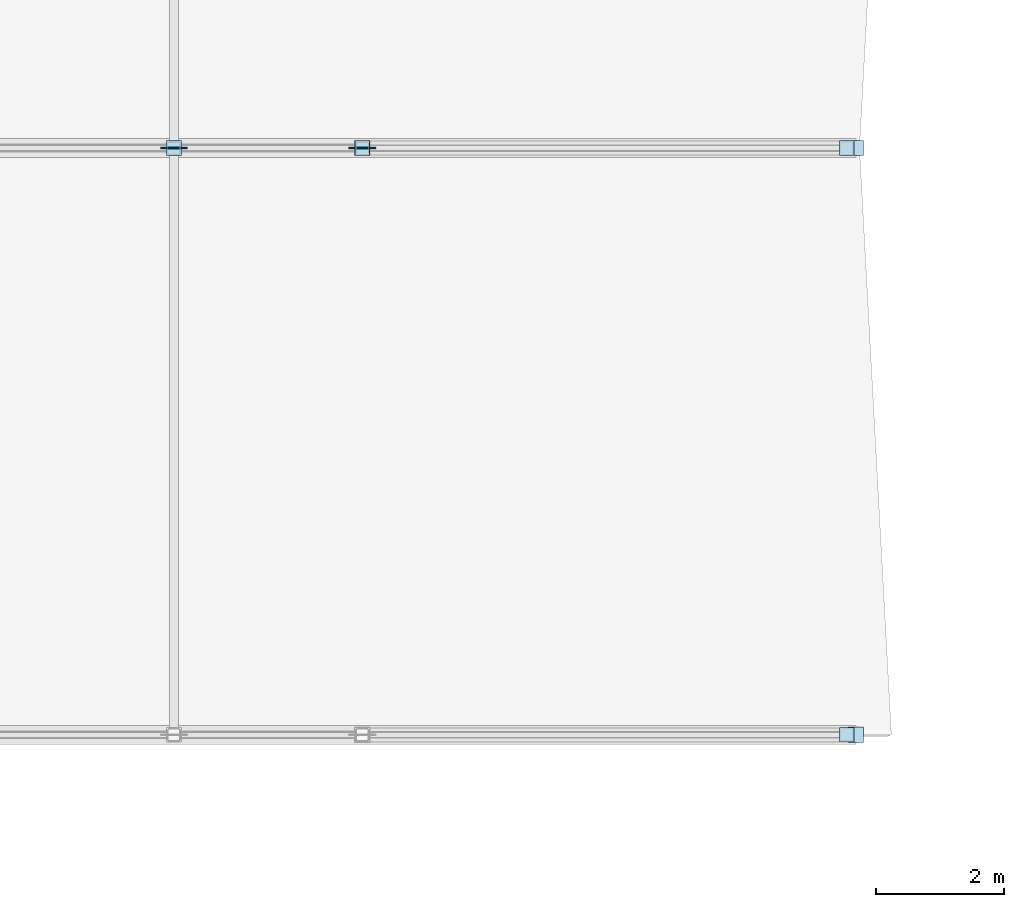
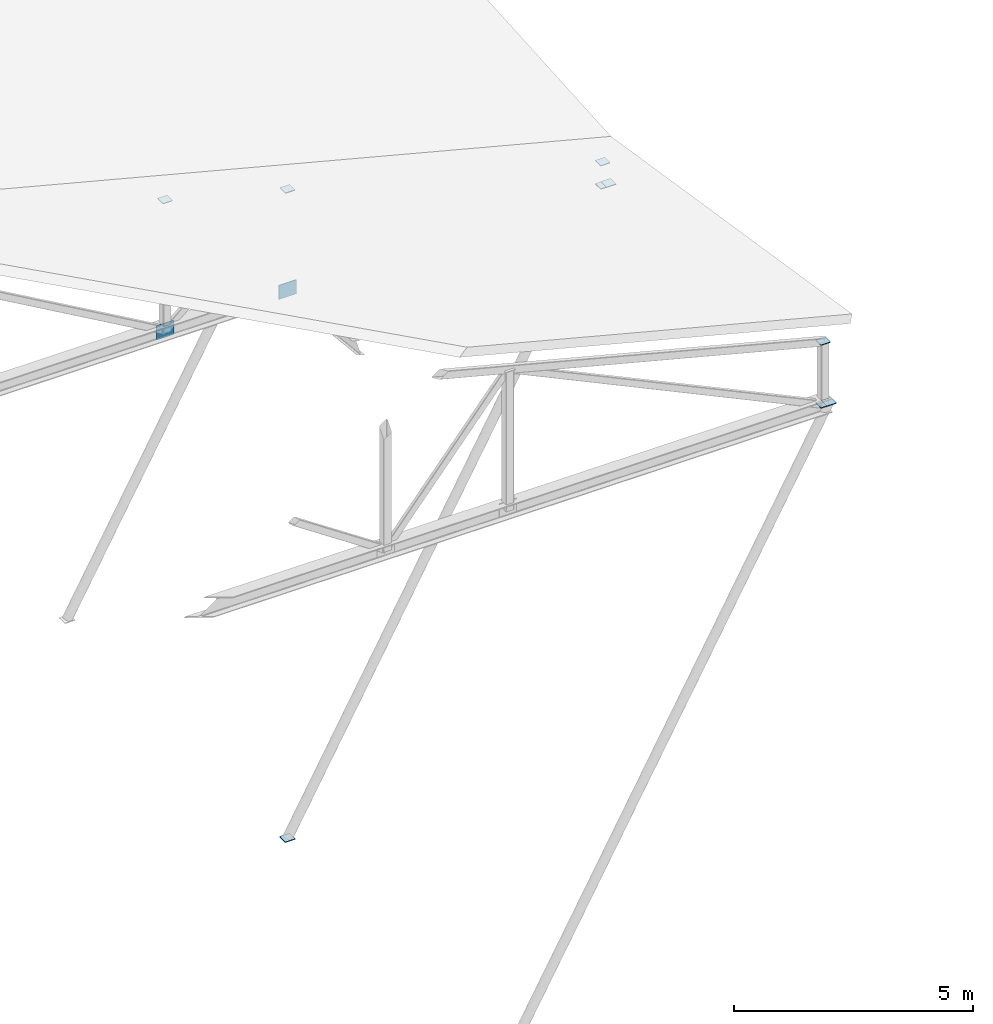
# One storey, part 49 of 56: 11 plates.
"""IFC4 building model written with IfcOpenShell, lengths in metres."""

from ifc_helpers import new_model, si_unit, direction, frame, origin, origin_2d, place, context, subcontext, project, spatial, rectangle, extrude, material, layer, layer_set, type_object, element, save


model = new_model("IFC4")

# Units and contexts
model_context = context("Model", 3, precision=1e-05, world=origin(), true_north=direction((0.0, 1.0)))
body_context = subcontext(model_context, "Body", "Model", "MODEL_VIEW")
ifc_project = project(units=[si_unit("LENGTHUNIT", "METRE"), si_unit("AREAUNIT", "SQUARE_METRE"), si_unit("VOLUMEUNIT", "CUBIC_METRE"), si_unit("PLANEANGLEUNIT", "RADIAN"), si_unit("MASSUNIT", "GRAM", prefix="KILO")], contexts=[model_context])

# Site, building, storey
site_placement = place(None, origin())
site = spatial("IfcSite", under=ifc_project, at=site_placement, CompositionType="ELEMENT")
building_placement = place(site_placement, origin())
building = spatial("IfcBuilding", under=site, at=building_placement, Name="Bozkorgan Art Gallery", CompositionType="ELEMENT")
storey_placement = place(building_placement, frame((0.0, 0.0, 24.0)))
storey = spatial("IfcBuildingStorey", under=building, at=storey_placement, Name="L05", CompositionType="ELEMENT", Elevation=24.0)

# Plates
ifc_material = material(Name="Steel S355J2", Category="steel")
ifc_layer_1 = layer(ifc_material, 0.01611328125, Name="Steel S355J2")
ifc_layer_set_1 = layer_set([ifc_layer_1], Name="Steel S355J2")
plate_type_1 = type_object("IfcPlateType", Name="PLATE-EC-05", PredefinedType="USERDEFINED", material=ifc_layer_set_1)
for number, where, z_axis, x_axis, name in (
    (1, (108.60009765625, 47.60009765625, 1.772216796875), (0.0, 0.0, 1.0), (1.0, 0.0, 0.0), "Truss V4 post cap 1.6"),
    (2, (108.60009765625, 47.60009765625, 0.171875), (0.0, 0.0, 1.0), (1.0, 0.0, 0.0), "Truss V4 post base cap 1.6"),
    (3, (98.050048828125, 56.800048828125, 3.492919921875), (0.0, 0.0, 1.0), (1.0, 0.0, 0.0), "Truss V4 post cap 2.4"),
    (4, (101.0, 56.800048828125, 2.72998046875), (0.0, 0.0, 1.0), (1.0, 0.0, 0.0), "Truss V4 post cap 2.5"),
    (5, (108.60009765625, 56.800048828125, 0.7646484375), (0.0, 0.0, 1.0), (1.0, 0.0, 0.0), "Truss V4 post cap 2.6"),
    (6, (108.60009765625, 56.800048828125, 0.171875), (0.0, 0.0, 1.0), (1.0, 0.0, 0.0), "Truss V4 post base cap 2.6"),
):
    element("IfcPlate", number, at=place(storey_placement, frame(where, z_axis=z_axis, x_axis=x_axis)), inside=storey, type_object=plate_type_1, Name=name, ObjectType="END CAP PLATE", PredefinedType="USERDEFINED", context=body_context, shape_type="SweptSolid", body=[
        extrude(rectangle(XDim=0.22998046875, YDim=0.22998046875, at=origin_2d()), origin(), (0.0, 0.0, 1.0), 0.01611328125),
    ])
ifc_layer_2 = layer(ifc_material, 0.02001953125, Name="Steel S355J2")
ifc_layer_set_2 = layer_set([ifc_layer_2], Name="Steel S355J2")
plate_type_2 = type_object("IfcPlateType", Name="PLATE-EC-24", PredefinedType="USERDEFINED", material=ifc_layer_set_2)
for number, where, z_axis, x_axis, name in (
    (7, (108.739990234375, 47.60009765625, 0.169921875), (0.0, 0.0, 1.0), (1.0, 0.0, 0.0), "ROOF-V4-MAIN east swept-eave diagonal tree-strut 1 end cap 2"),
    (8, (101.0, 56.800048828125, -13.81005859375), (0.0, 0.0, 1.0), (1.0, 0.0, 0.0), "ROOF-V4-MAIN east swept-eave diagonal tree-strut 2 end cap 1"),
    (9, (108.739990234375, 56.800048828125, 0.169921875), (0.0, 0.0, 1.0), (1.0, 0.0, 0.0), "ROOF-V4-MAIN east swept-eave diagonal tree-strut 2 end cap 2"),
):
    element("IfcPlate", number, at=place(storey_placement, frame(where, z_axis=z_axis, x_axis=x_axis)), inside=storey, type_object=plate_type_2, Name=name, ObjectType="END CAP PLATE", PredefinedType="USERDEFINED", context=body_context, shape_type="SweptSolid", body=[
        extrude(rectangle(XDim=0.239990234375, YDim=0.239990234375, at=origin_2d()), origin(), (0.0, 0.0, 1.0), 0.02001953125),
    ])
ifc_layer_3 = layer(ifc_material, 0.02001953125, Name="Steel S355J2")
ifc_layer_set_3 = layer_set([ifc_layer_3], Name="Steel S355J2")
plate_type_3 = type_object("IfcPlateType", Name="PLATE-GP-55", PredefinedType="USERDEFINED", material=ifc_layer_set_3)
for number, where, z_axis, x_axis, name in (
    (10, (98.050048828125, 56.800048828125, 0.0), (0.0, 0.0, 1.0), (1.0, 0.0, 0.0), "Truss V4 span 2 node gusset TN-4"),
    (11, (101.0, 56.800048828125, 0.0), (0.0, 0.0, 1.0), (1.0, 0.0, 0.0), "Truss V4 span 2 node gusset TN-5"),
):
    element("IfcPlate", number, at=place(storey_placement, frame(where, z_axis=z_axis, x_axis=x_axis)), inside=storey, type_object=plate_type_3, Name=name, ObjectType="GUSSET PLATE", PredefinedType="USERDEFINED", context=body_context, shape_type="SweptSolid", body=[
        extrude(rectangle(XDim=0.419921875, YDim=0.02001953125, at=origin_2d()), origin(), (0.0, 0.0, 1.0), 0.360107421875),
    ])

save(model, "model.ifc")
